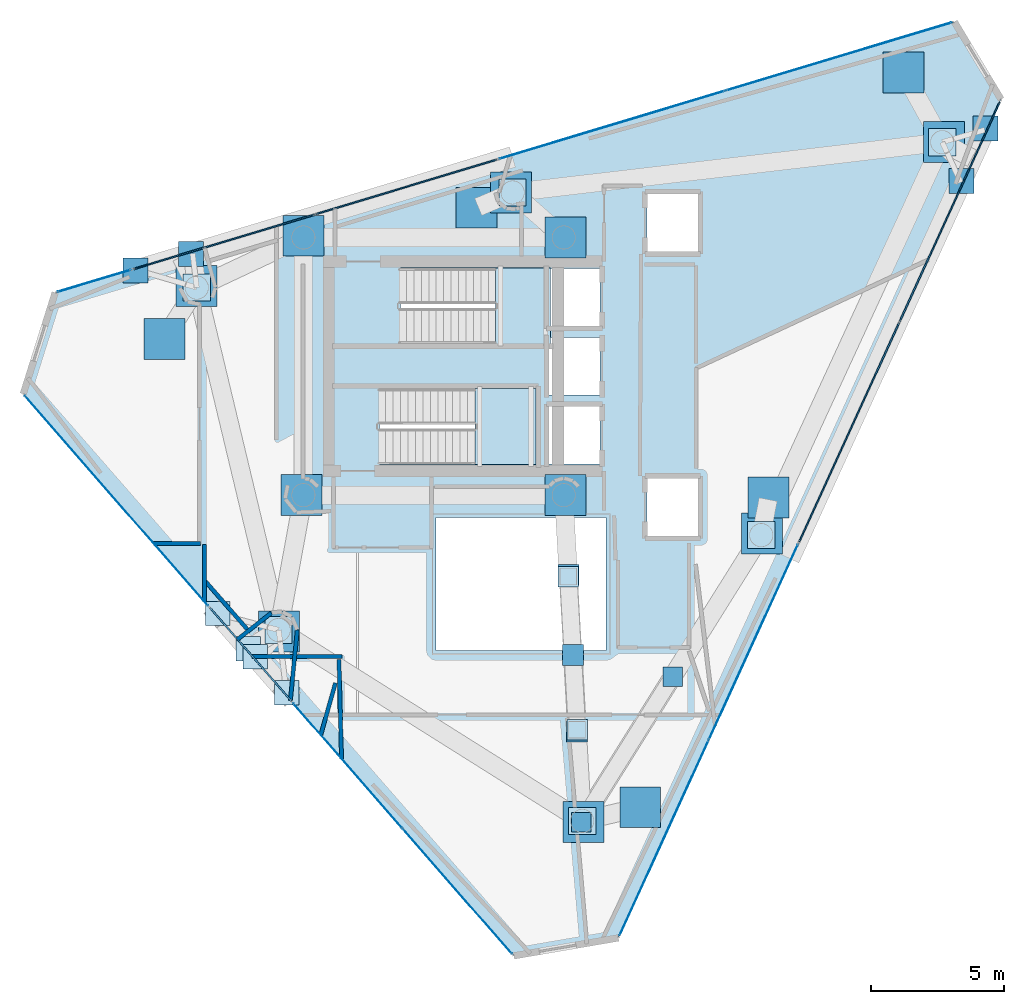
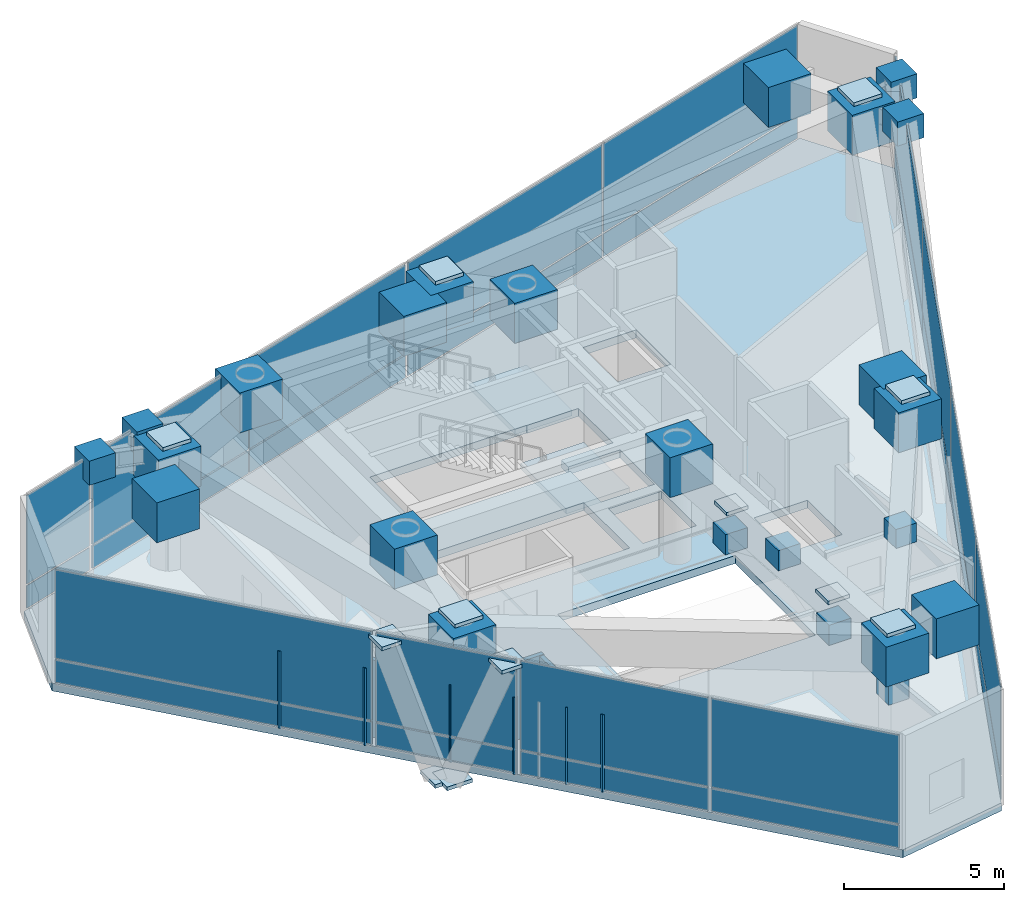
# One storey, part 15 of 20: 62 plates, 8 walls, 3 slabs, 10 elements without a shape of their own.
"""IFC4 building model written with IfcOpenShell, lengths in metres."""

from ifc_helpers import new_model, si_unit, direction, frame, frame_2d, origin, origin_2d, place, context, subcontext, project, spatial, polyline, rectangle, outline, extrude, material, layer, layer_set, type_object, element, aggregate, save


model = new_model("IFC4")

# Units and contexts
model_context = context("Model", 3, precision=1e-05, world=origin(), true_north=direction((0.0, 1.0)))
body_context = subcontext(model_context, "Body", "Model", "MODEL_VIEW")
ifc_project = project(units=[si_unit("LENGTHUNIT", "METRE"), si_unit("AREAUNIT", "SQUARE_METRE"), si_unit("VOLUMEUNIT", "CUBIC_METRE"), si_unit("PLANEANGLEUNIT", "RADIAN"), si_unit("MASSUNIT", "GRAM", prefix="KILO")], contexts=[model_context])

# Site, building, storey
site_placement = place(None, origin())
site = spatial("IfcSite", under=ifc_project, at=site_placement, CompositionType="ELEMENT")
building_placement = place(site_placement, origin())
building = spatial("IfcBuilding", under=site, at=building_placement, Name="Qianvela Tower", CompositionType="ELEMENT")
storey_placement = place(building_placement, frame((0.0, 0.0, 321.300048828125)))
storey = spatial("IfcBuildingStorey", under=building, at=storey_placement, Name="L83", CompositionType="ELEMENT", Elevation=321.300048828125)

# Curtain wall, plates
ifc_material_1 = material(Name="Anodised Architectural Aluminium and Insulated Spandrel Panel", Category="aluminium")
ifc_layer_1 = layer(ifc_material_1, 0.179931640625)
ifc_layer_set_1 = layer_set([ifc_layer_1], Name="Anodised Architectural Aluminium and Insulated Spandrel Panel")
curtain_wall_type_1 = type_object("IfcCurtainWallType", Name="CW-BRACEBAY", PredefinedType="USERDEFINED", material=ifc_layer_set_1)
curtain_wall_1_placement = place(storey_placement, origin())
curtain_wall_1 = element("IfcCurtainWall", 1, at=curtain_wall_1_placement, inside=storey, type_object=curtain_wall_type_1, Name="L83 CW-BRACEBAY Curtain Wall 02B", ObjectType="CURTAIN_WALL_SYSTEM", PredefinedType="USERDEFINED")
ifc_material_2 = material(Name="Insulated Aluminium Spandrel Panel with Mineral-Wool Backpan", Category="aluminium")
ifc_layer_2 = layer(ifc_material_2, 0.06005859375)
ifc_layer_set_2 = layer_set([ifc_layer_2], Name="Insulated Aluminium Spandrel Panel with Mineral-Wool Backpan")
plate_type_1 = type_object("IfcPlateType", Name="CW-BRACEBAY-PNL", PredefinedType="CURTAIN_PANEL", material=ifc_layer_set_2)
plate_1_placement = place(storey_placement, frame((32.471435546875, 35.45361328125, 0.06494140625), z_axis=(0.0, 0.0, 1.0), x_axis=(-0.95748689218, -0.288476777754, 0.0)))
plate_1 = element("IfcPlate", 2, at=plate_1_placement, type_object=plate_type_1, Name="CW-9 panel 1.1", PredefinedType="CURTAIN_PANEL", context=body_context, shape_type="SweptSolid", body=[
    extrude(rectangle(XDim=7.097412109375, YDim=0.06005859375, at=origin_2d()), origin(), (0.0, 0.0, 1.0), 0.8525390625),
])
plate_2_placement = place(storey_placement, frame((32.471435546875, 35.45361328125, 0.982421875), z_axis=(0.0, 0.0, 1.0), x_axis=(-0.95748689218, -0.288476777754, 0.0)))
plate_2 = element("IfcPlate", 3, at=plate_2_placement, type_object=plate_type_1, Name="CW-9 panel 1.2", PredefinedType="CURTAIN_PANEL", context=body_context, shape_type="SweptSolid", body=[
    extrude(rectangle(XDim=7.097412109375, YDim=0.06005859375, at=origin_2d()), origin(), (0.0, 0.0, 1.0), 3.37255859375),
])
plate_3_placement = place(storey_placement, frame((25.613525390625, 33.38720703125, 0.06494140625), z_axis=(0.0, 0.0, 1.0), x_axis=(-0.95748689218, -0.288476777754, 0.0)))
plate_3 = element("IfcPlate", 4, at=plate_3_placement, type_object=plate_type_1, Name="CW-9 panel 2.1", PredefinedType="CURTAIN_PANEL", context=body_context, shape_type="SweptSolid", body=[
    extrude(rectangle(XDim=7.097412109375, YDim=0.06005859375, at=origin_2d()), origin(), (0.0, 0.0, 1.0), 0.8525390625),
])
plate_4_placement = place(storey_placement, frame((25.613525390625, 33.38720703125, 0.982421875), z_axis=(0.0, 0.0, 1.0), x_axis=(-0.95748689218, -0.288476777754, 0.0)))
plate_4 = element("IfcPlate", 5, at=plate_4_placement, type_object=plate_type_1, Name="CW-9 panel 2.2", PredefinedType="CURTAIN_PANEL", context=body_context, shape_type="SweptSolid", body=[
    extrude(rectangle(XDim=7.097412109375, YDim=0.06005859375, at=origin_2d()), origin(), (0.0, 0.0, 1.0), 3.37255859375),
])
aggregate(curtain_wall_1, [plate_1, plate_2, plate_3, plate_4])

curtain_wall_2_placement = place(storey_placement, origin())
curtain_wall_2 = element("IfcCurtainWall", 6, at=curtain_wall_2_placement, inside=storey, type_object=curtain_wall_type_1, Name="L83 CW-BRACEBAY Curtain Wall 04B", ObjectType="CURTAIN_WALL_SYSTEM", PredefinedType="USERDEFINED")
plate_5_placement = place(storey_placement, frame((26.615966796875, 17.85498046875, 0.06494140625), z_axis=(0.0, 0.0, 1.0), x_axis=(0.657634420944, -0.753337220898, 0.0)))
plate_5 = element("IfcPlate", 7, at=plate_5_placement, type_object=plate_type_1, Name="CW-9 panel 1.1", PredefinedType="CURTAIN_PANEL", context=body_context, shape_type="SweptSolid", body=[
    extrude(rectangle(XDim=4.639892578125, YDim=0.06005859375, at=origin_2d()), origin(), (0.0, 0.0, 1.0), 0.8525390625),
])
plate_6_placement = place(storey_placement, frame((26.615966796875, 17.85498046875, 0.982421875), z_axis=(0.0, 0.0, 1.0), x_axis=(0.657634420944, -0.753337220898, 0.0)))
plate_6 = element("IfcPlate", 8, at=plate_6_placement, type_object=plate_type_1, Name="CW-9 panel 1.2", PredefinedType="CURTAIN_PANEL", context=body_context, shape_type="SweptSolid", body=[
    extrude(rectangle(XDim=4.639892578125, YDim=0.06005859375, at=origin_2d()), origin(), (0.0, 0.0, 1.0), 3.37255859375),
])
aggregate(curtain_wall_2, [plate_5, plate_6])

curtain_wall_3_placement = place(storey_placement, origin())
curtain_wall_3 = element("IfcCurtainWall", 9, at=curtain_wall_3_placement, inside=storey, type_object=curtain_wall_type_1, Name="L83 CW-BRACEBAY Curtain Wall 06B", ObjectType="CURTAIN_WALL_SYSTEM", PredefinedType="USERDEFINED")
plate_7_placement = place(storey_placement, frame((49.142333984375, 26.216064453125, 0.06494140625), z_axis=(0.0, 0.0, 1.0), x_axis=(0.415119235689, 0.909767014219, 0.0)))
plate_7 = element("IfcPlate", 10, at=plate_7_placement, type_object=plate_type_1, Name="CW-9 panel 1.1", PredefinedType="CURTAIN_PANEL", context=body_context, shape_type="SweptSolid", body=[
    extrude(rectangle(XDim=9.0634765625, YDim=0.06005859375, at=origin_2d()), origin(), (0.0, 0.0, 1.0), 0.8525390625),
])
plate_8_placement = place(storey_placement, frame((49.142333984375, 26.216064453125, 0.982421875), z_axis=(0.0, 0.0, 1.0), x_axis=(0.415119235689, 0.909767014219, 0.0)))
plate_8 = element("IfcPlate", 11, at=plate_8_placement, type_object=plate_type_1, Name="CW-9 panel 1.2", PredefinedType="CURTAIN_PANEL", context=body_context, shape_type="SweptSolid", body=[
    extrude(rectangle(XDim=9.0634765625, YDim=0.06005859375, at=origin_2d()), origin(), (0.0, 0.0, 1.0), 3.37255859375),
])
plate_9_placement = place(storey_placement, frame((52.931640625, 34.520751953125, 0.06494140625), z_axis=(0.0, 0.0, 1.0), x_axis=(0.415119235689, 0.909767014219, 0.0)))
plate_9 = element("IfcPlate", 12, at=plate_9_placement, type_object=plate_type_1, Name="CW-9 panel 2.1", PredefinedType="CURTAIN_PANEL", context=body_context, shape_type="SweptSolid", body=[
    extrude(rectangle(XDim=9.0634765625, YDim=0.06005859375, at=origin_2d()), origin(), (0.0, 0.0, 1.0), 0.8525390625),
])
plate_10_placement = place(storey_placement, frame((52.931640625, 34.520751953125, 0.982421875), z_axis=(0.0, 0.0, 1.0), x_axis=(0.415119235689, 0.909767014219, 0.0)))
plate_10 = element("IfcPlate", 13, at=plate_10_placement, type_object=plate_type_1, Name="CW-9 panel 2.2", PredefinedType="CURTAIN_PANEL", context=body_context, shape_type="SweptSolid", body=[
    extrude(rectangle(XDim=9.0634765625, YDim=0.06005859375, at=origin_2d()), origin(), (0.0, 0.0, 1.0), 3.37255859375),
])
aggregate(curtain_wall_3, [plate_7, plate_8, plate_9, plate_10])

ifc_material_3 = material(Name="Anodised Architectural Aluminium and Low-E Glass", Category="aluminium")
ifc_layer_3 = layer(ifc_material_3, 0.14990234375)
ifc_layer_set_3 = layer_set([ifc_layer_3], Name="Anodised Architectural Aluminium and Low-E Glass")
curtain_wall_type_2 = type_object("IfcCurtainWallType", Name="CW-COLIV-Z78", PredefinedType="USERDEFINED", material=ifc_layer_set_3)
curtain_wall_4_placement = place(storey_placement, origin())
curtain_wall_4 = element("IfcCurtainWall", 14, at=curtain_wall_4_placement, inside=storey, type_object=curtain_wall_type_2, Name="L83 CW-COLIV-Z78 Curtain Wall 02A", ObjectType="CURTAIN_WALL_SYSTEM", PredefinedType="USERDEFINED")
ifc_material_4 = material(Name="Double-Silver Low-E Insulated Glass", Category="glass")
ifc_layer_4 = layer(ifc_material_4, 0.02587890625)
ifc_layer_set_4 = layer_set([ifc_layer_4], Name="Double-Silver Low-E Insulated Glass")
plate_type_2 = type_object("IfcPlateType", Name="CW-COLIV-Z78-PNL", PredefinedType="CURTAIN_PANEL", material=ifc_layer_set_4)
plate_11_placement = place(storey_placement, frame((48.757080078125, 40.360107421875, 0.06005859375), z_axis=(0.0, 0.0, 1.0), x_axis=(-0.957486042713, -0.288479597216, 0.0)))
plate_11 = element("IfcPlate", 15, at=plate_11_placement, type_object=plate_type_2, Name="CW-6 panel 1.1", PredefinedType="CURTAIN_PANEL", context=body_context, shape_type="SweptSolid", body=[
    extrude(rectangle(XDim=8.849853515625, YDim=0.02587890625, at=origin_2d()), origin(), (0.0, 0.0, 1.0), 0.860107421875),
])
plate_12_placement = place(storey_placement, frame((48.757080078125, 40.360107421875, 0.97998046875), z_axis=(0.0, 0.0, 1.0), x_axis=(-0.957486042713, -0.288479597216, 0.0)))
plate_12 = element("IfcPlate", 16, at=plate_12_placement, type_object=plate_type_2, Name="CW-6 panel 1.2", PredefinedType="CURTAIN_PANEL", context=body_context, shape_type="SweptSolid", body=[
    extrude(rectangle(XDim=8.849853515625, YDim=0.02587890625, at=origin_2d()), origin(), (0.0, 0.0, 1.0), 3.3798828125),
])
plate_13_placement = place(storey_placement, frame((40.225830078125, 37.789794921875, 0.06005859375), z_axis=(0.0, 0.0, 1.0), x_axis=(-0.957486042713, -0.288479597216, 0.0)))
plate_13 = element("IfcPlate", 17, at=plate_13_placement, type_object=plate_type_2, Name="CW-6 panel 2.1", PredefinedType="CURTAIN_PANEL", context=body_context, shape_type="SweptSolid", body=[
    extrude(rectangle(XDim=8.849853515625, YDim=0.02587890625, at=origin_2d()), origin(), (0.0, 0.0, 1.0), 0.860107421875),
])
plate_14_placement = place(storey_placement, frame((40.225830078125, 37.789794921875, 0.97998046875), z_axis=(0.0, 0.0, 1.0), x_axis=(-0.957486042713, -0.288479597216, 0.0)))
plate_14 = element("IfcPlate", 18, at=plate_14_placement, type_object=plate_type_2, Name="CW-6 panel 2.2", PredefinedType="CURTAIN_PANEL", context=body_context, shape_type="SweptSolid", body=[
    extrude(rectangle(XDim=8.849853515625, YDim=0.02587890625, at=origin_2d()), origin(), (0.0, 0.0, 1.0), 3.3798828125),
])
aggregate(curtain_wall_4, [plate_11, plate_12, plate_13, plate_14])

curtain_wall_5_placement = place(storey_placement, origin())
curtain_wall_5 = element("IfcCurtainWall", 19, at=curtain_wall_5_placement, inside=storey, type_object=curtain_wall_type_2, Name="L83 CW-COLIV-Z78 Curtain Wall 02C", ObjectType="CURTAIN_WALL_SYSTEM", PredefinedType="USERDEFINED")
plate_15_placement = place(storey_placement, frame((20.72998046875, 31.916015625, 0.06005859375), z_axis=(0.0, 0.0, 1.0), x_axis=(-0.957477522462, -0.288507875073, 0.0)))
plate_15 = element("IfcPlate", 20, at=plate_15_placement, type_object=plate_type_2, Name="CW-6 panel 1.1", PredefinedType="CURTAIN_PANEL", context=body_context, shape_type="SweptSolid", body=[
    extrude(rectangle(XDim=2.853271484375, YDim=0.02587890625, at=origin_2d()), origin(), (0.0, 0.0, 1.0), 0.860107421875),
])
plate_16_placement = place(storey_placement, frame((20.72998046875, 31.916015625, 0.97998046875), z_axis=(0.0, 0.0, 1.0), x_axis=(-0.957477522462, -0.288507875073, 0.0)))
plate_16 = element("IfcPlate", 21, at=plate_16_placement, type_object=plate_type_2, Name="CW-6 panel 1.2", PredefinedType="CURTAIN_PANEL", context=body_context, shape_type="SweptSolid", body=[
    extrude(rectangle(XDim=2.853271484375, YDim=0.02587890625, at=origin_2d()), origin(), (0.0, 0.0, 1.0), 3.3798828125),
])
aggregate(curtain_wall_5, [plate_15, plate_16])

curtain_wall_6_placement = place(storey_placement, origin())
curtain_wall_6 = element("IfcCurtainWall", 22, at=curtain_wall_6_placement, inside=storey, type_object=curtain_wall_type_2, Name="L83 CW-COLIV-Z78 Curtain Wall 04A", ObjectType="CURTAIN_WALL_SYSTEM", PredefinedType="USERDEFINED")
plate_17_placement = place(storey_placement, frame((21.568603515625, 23.63671875, 0.06005859375), z_axis=(0.0, 0.0, 1.0), x_axis=(0.657640961301, -0.753331511367, 0.0)))
plate_17 = element("IfcPlate", 23, at=plate_17_placement, type_object=plate_type_2, Name="CW-6 panel 1.1", PredefinedType="CURTAIN_PANEL", context=body_context, shape_type="SweptSolid", body=[
    extrude(rectangle(XDim=10.4599609375, YDim=0.02587890625, at=origin_2d()), origin(), (0.0, 0.0, 1.0), 0.860107421875),
])
plate_18_placement = place(storey_placement, frame((21.568603515625, 23.63671875, 0.97998046875), z_axis=(0.0, 0.0, 1.0), x_axis=(0.657640961301, -0.753331511367, 0.0)))
plate_18 = element("IfcPlate", 24, at=plate_18_placement, type_object=plate_type_2, Name="CW-6 panel 1.2", PredefinedType="CURTAIN_PANEL", context=body_context, shape_type="SweptSolid", body=[
    extrude(rectangle(XDim=10.4599609375, YDim=0.02587890625, at=origin_2d()), origin(), (0.0, 0.0, 1.0), 3.3798828125),
])
aggregate(curtain_wall_6, [plate_17, plate_18])

curtain_wall_7_placement = place(storey_placement, origin())
curtain_wall_7 = element("IfcCurtainWall", 25, at=curtain_wall_7_placement, inside=storey, type_object=curtain_wall_type_2, Name="L83 CW-COLIV-Z78 Curtain Wall 04C", ObjectType="CURTAIN_WALL_SYSTEM", PredefinedType="USERDEFINED")
plate_19_placement = place(storey_placement, frame((30.269775390625, 13.66943359375, 0.06005859375), z_axis=(0.0, 0.0, 1.0), x_axis=(0.657638810438, -0.753333389016, 0.0)))
plate_19 = element("IfcPlate", 26, at=plate_19_placement, type_object=plate_type_2, Name="CW-6 panel 1.1", PredefinedType="CURTAIN_PANEL", context=body_context, shape_type="SweptSolid", body=[
    extrude(rectangle(XDim=6.2216796875, YDim=0.02587890625, at=origin_2d()), origin(), (0.0, 0.0, 1.0), 0.860107421875),
])
plate_20_placement = place(storey_placement, frame((30.269775390625, 13.66943359375, 0.97998046875), z_axis=(0.0, 0.0, 1.0), x_axis=(0.657638810438, -0.753333389016, 0.0)))
plate_20 = element("IfcPlate", 27, at=plate_20_placement, type_object=plate_type_2, Name="CW-6 panel 1.2", PredefinedType="CURTAIN_PANEL", context=body_context, shape_type="SweptSolid", body=[
    extrude(rectangle(XDim=6.2216796875, YDim=0.02587890625, at=origin_2d()), origin(), (0.0, 0.0, 1.0), 3.3798828125),
])
plate_21_placement = place(storey_placement, frame((34.40087890625, 8.937255859375, 0.06005859375), z_axis=(0.0, 0.0, 1.0), x_axis=(0.657638810438, -0.753333389016, 0.0)))
plate_21 = element("IfcPlate", 28, at=plate_21_placement, type_object=plate_type_2, Name="CW-6 panel 2.1", PredefinedType="CURTAIN_PANEL", context=body_context, shape_type="SweptSolid", body=[
    extrude(rectangle(XDim=6.2216796875, YDim=0.02587890625, at=origin_2d()), origin(), (0.0, 0.0, 1.0), 0.860107421875),
])
plate_22_placement = place(storey_placement, frame((34.40087890625, 8.937255859375, 0.97998046875), z_axis=(0.0, 0.0, 1.0), x_axis=(0.657638810438, -0.753333389016, 0.0)))
plate_22 = element("IfcPlate", 29, at=plate_22_placement, type_object=plate_type_2, Name="CW-6 panel 2.2", PredefinedType="CURTAIN_PANEL", context=body_context, shape_type="SweptSolid", body=[
    extrude(rectangle(XDim=6.2216796875, YDim=0.02587890625, at=origin_2d()), origin(), (0.0, 0.0, 1.0), 3.3798828125),
])
aggregate(curtain_wall_7, [plate_19, plate_20, plate_21, plate_22])

curtain_wall_8_placement = place(storey_placement, origin())
curtain_wall_8 = element("IfcCurtainWall", 30, at=curtain_wall_8_placement, inside=storey, type_object=curtain_wall_type_2, Name="L83 CW-COLIV-Z78 Curtain Wall 06A", ObjectType="CURTAIN_WALL_SYSTEM", PredefinedType="USERDEFINED")
plate_23_placement = place(storey_placement, frame((42.175048828125, 10.9462890625, 0.06005859375), z_axis=(0.0, 0.0, 1.0), x_axis=(0.415119962571, 0.909766682548, 0.0)))
plate_23 = element("IfcPlate", 31, at=plate_23_placement, type_object=plate_type_2, Name="CW-6 panel 1.1", PredefinedType="CURTAIN_PANEL", context=body_context, shape_type="SweptSolid", body=[
    extrude(rectangle(XDim=8.044921875, YDim=0.02587890625, at=origin_2d()), origin(), (0.0, 0.0, 1.0), 0.860107421875),
])
plate_24_placement = place(storey_placement, frame((42.175048828125, 10.9462890625, 0.97998046875), z_axis=(0.0, 0.0, 1.0), x_axis=(0.415119962571, 0.909766682548, 0.0)))
plate_24 = element("IfcPlate", 32, at=plate_24_placement, type_object=plate_type_2, Name="CW-6 panel 1.2", PredefinedType="CURTAIN_PANEL", context=body_context, shape_type="SweptSolid", body=[
    extrude(rectangle(XDim=8.044921875, YDim=0.02587890625, at=origin_2d()), origin(), (0.0, 0.0, 1.0), 3.3798828125),
])
plate_25_placement = place(storey_placement, frame((45.53955078125, 18.320068359375, 0.06005859375), z_axis=(0.0, 0.0, 1.0), x_axis=(0.415119962571, 0.909766682548, 0.0)))
plate_25 = element("IfcPlate", 33, at=plate_25_placement, type_object=plate_type_2, Name="CW-6 panel 2.1", PredefinedType="CURTAIN_PANEL", context=body_context, shape_type="SweptSolid", body=[
    extrude(rectangle(XDim=8.044921875, YDim=0.02587890625, at=origin_2d()), origin(), (0.0, 0.0, 1.0), 0.860107421875),
])
plate_26_placement = place(storey_placement, frame((45.53955078125, 18.320068359375, 0.97998046875), z_axis=(0.0, 0.0, 1.0), x_axis=(0.415119962571, 0.909766682548, 0.0)))
plate_26 = element("IfcPlate", 34, at=plate_26_placement, type_object=plate_type_2, Name="CW-6 panel 2.2", PredefinedType="CURTAIN_PANEL", context=body_context, shape_type="SweptSolid", body=[
    extrude(rectangle(XDim=8.044921875, YDim=0.02587890625, at=origin_2d()), origin(), (0.0, 0.0, 1.0), 3.3798828125),
])
aggregate(curtain_wall_8, [plate_23, plate_24, plate_25, plate_26])

# Plates
ifc_material_5 = material(Name="Steel Q420GJC", Category="steel")
ifc_layer_5 = layer(ifc_material_5, 0.1298828125)
ifc_layer_set_5 = layer_set([ifc_layer_5], Name="Steel Q420GJC")
plate_type_3 = type_object("IfcPlateType", Name="PT-ENDCAP-130", PredefinedType="USERDEFINED", material=ifc_layer_set_5)
for number, where, z_axis, x_axis, name in (
    (35, (38.573974609375, 20.784423828125, 3.712890625), (0.0, 0.0, 1.0), (1.0, 0.0, 0.0), "L83 Hollow Section End Cap Plate B"),
    (36, (38.901123046875, 15.021484375, 3.712890625), (0.0, 0.0, 1.0), (1.0, 0.0, 0.0), "L83 Hollow Section End Cap Plate B"),
):
    element("IfcPlate", number, at=place(storey_placement, frame(where, z_axis=z_axis, x_axis=x_axis)), inside=storey, type_object=plate_type_3, Name=name, ObjectType="END_CAP", PredefinedType="USERDEFINED", context=body_context, shape_type="SweptSolid", body=[
        extrude(rectangle(XDim=0.77001953125, YDim=0.77001953125, at=origin_2d()), origin(), (0.0, 0.0, 1.0), 0.1298828125),
    ])
ifc_material_6 = material(Name="Steel Q420GJC", Category="steel")
ifc_layer_6 = layer(ifc_material_6, 0.139892578125)
ifc_layer_set_6 = layer_set([ifc_layer_6], Name="Steel Q420GJC")
plate_type_4 = type_object("IfcPlateType", Name="PT-GUSSET-NODE-140", PredefinedType="USERDEFINED", material=ifc_layer_set_6)
for number, where, z_axis, x_axis, name in (
    (37, (52.64794921875, 37.135009765625, 4.59521484375), (0.0, 0.0, 1.0), (1.0, 0.0, 0.0), "L83 Node Gusset Plate TOP"),
    (38, (36.47607421875, 35.242919921875, 4.59521484375), (0.0, 0.0, 1.0), (1.0, 0.0, 0.0), "L83 Node Gusset Plate TOP"),
    (39, (24.5869140625, 31.6630859375, 4.59521484375), (0.0, 0.0, 1.0), (1.0, 0.0, 0.0), "L83 Node Gusset Plate TOP"),
    (40, (27.669921875, 18.77392578125, 4.59521484375), (0.0, 0.0, 1.0), (1.0, 0.0, 0.0), "L83 Node Gusset Plate TOP"),
    (41, (39.095947265625, 11.587890625, 4.59521484375), (0.0, 0.0, 1.0), (1.0, 0.0, 0.0), "L83 Node Gusset Plate TOP"),
    (42, (45.833984375, 22.344970703125, 4.59521484375), (0.0, 0.0, 1.0), (1.0, 0.0, 0.0), "L83 Node Gusset Plate TOP"),
):
    element("IfcPlate", number, at=place(storey_placement, frame(where, z_axis=z_axis, x_axis=x_axis)), inside=storey, type_object=plate_type_4, Name=name, ObjectType="GUSSET_PLATE", PredefinedType="USERDEFINED", context=body_context, shape_type="SweptSolid", body=[
        extrude(rectangle(XDim=1.02001953125, YDim=1.02001953125, at=origin_2d()), origin(), (0.0, 0.0, 1.0), 0.139892578125),
    ])
for number, where, z_axis, x_axis, name in (
    (43, (24.37158203125, 32.9296875, 3.68115234375), (0.0, 0.0, 1.0), (1.0, 0.0, 0.0), "L83 Node Gusset Plate B"),
    (44, (22.288330078125, 32.3017578125, 3.678466796875), (0.0, 0.0, 1.0), (1.0, 0.0, 0.0), "L83 Node Gusset Plate B"),
):
    element("IfcPlate", number, at=place(storey_placement, frame(where, z_axis=z_axis, x_axis=x_axis)), inside=storey, type_object=plate_type_4, Name=name, ObjectType="GUSSET_PLATE", PredefinedType="USERDEFINED", context=body_context, shape_type="SweptSolid", body=[
        extrude(rectangle(XDim=0.93994140625, YDim=0.93994140625, at=origin_2d()), origin(), (0.0, 0.0, 1.0), 0.919921875),
    ])
for number, where, z_axis, x_axis, name in (
    (45, (26.53173828125, 18.072998046875, -0.73291015625), (0.0, 0.0, 1.0), (1.0, 0.0, 0.0), "L83 Node Gusset Plate A"),
    (46, (25.37646484375, 19.396484375, 4.10888671875), (0.0, 0.0, 1.0), (1.0, 0.0, 0.0), "L83 Node Gusset Plate B"),
    (47, (26.79150390625, 17.775390625, -0.73291015625), (0.0, 0.0, 1.0), (1.0, 0.0, 0.0), "L83 Node Gusset Plate A"),
    (48, (27.977294921875, 16.4169921875, 4.10888671875), (0.0, 0.0, 1.0), (1.0, 0.0, 0.0), "L83 Node Gusset Plate B"),
):
    element("IfcPlate", number, at=place(storey_placement, frame(where, z_axis=z_axis, x_axis=x_axis)), inside=storey, type_object=plate_type_4, Name=name, ObjectType="GUSSET_PLATE", PredefinedType="USERDEFINED", context=body_context, shape_type="SweptSolid", body=[
        extrude(rectangle(XDim=0.919921875, YDim=0.919921875, at=origin_2d()), origin(), (0.0, 0.0, 1.0), 0.139892578125),
    ])
for number, where, z_axis, x_axis, name in (
    (49, (53.37109375, 35.676513671875, 3.677001953125), (0.0, 0.0, 1.0), (1.0, 0.0, 0.0), "L83 Node Gusset Plate B"),
    (50, (54.2744140625, 37.655517578125, 3.67529296875), (0.0, 0.0, 1.0), (1.0, 0.0, 0.0), "L83 Node Gusset Plate B"),
):
    element("IfcPlate", number, at=place(storey_placement, frame(where, z_axis=z_axis, x_axis=x_axis)), inside=storey, type_object=plate_type_4, Name=name, ObjectType="GUSSET_PLATE", PredefinedType="USERDEFINED", context=body_context, shape_type="SweptSolid", body=[
        extrude(rectangle(XDim=0.93994140625, YDim=0.93994140625, at=origin_2d()), origin(), (0.0, 0.0, 1.0), 0.919921875),
    ])
for number, where, z_axis, x_axis, name in (
    (51, (28.534912109375, 23.85009765625, 2.9580078125), (0.0, 0.0, 1.0), (1.0, 0.0, 0.0), "L83 Node Gusset Plate A"),
    (52, (38.465087890625, 23.85009765625, 2.9580078125), (0.0, 0.0, 1.0), (1.0, 0.0, 0.0), "L83 Node Gusset Plate B"),
    (53, (28.60009765625, 33.614990234375, 2.9580078125), (0.0, 0.0, 1.0), (1.0, 0.0, 0.0), "L83 Node Gusset Plate A"),
    (54, (38.465087890625, 33.550048828125, 2.9580078125), (0.0, 0.0, 1.0), (1.0, 0.0, 0.0), "L83 Node Gusset Plate B"),
    (55, (52.712646484375, 37.142578125, 2.9580078125), (0.0, 0.0, 1.0), (1.0, 0.0, 0.0), "L83 Node Gusset Plate A"),
    (56, (36.411376953125, 35.2353515625, 2.9580078125), (0.0, 0.0, 1.0), (1.0, 0.0, 0.0), "L83 Node Gusset Plate B"),
    (57, (24.572021484375, 31.726318359375, 2.9580078125), (0.0, 0.0, 1.0), (1.0, 0.0, 0.0), "L83 Node Gusset Plate A"),
    (58, (27.68505859375, 18.710693359375, 2.9580078125), (0.0, 0.0, 1.0), (1.0, 0.0, 0.0), "L83 Node Gusset Plate B"),
    (59, (39.15087890625, 11.553466796875, 2.9580078125), (0.0, 0.0, 1.0), (1.0, 0.0, 0.0), "L83 Node Gusset Plate B"),
    (60, (45.868408203125, 22.400146484375, 2.9580078125), (0.0, 0.0, 1.0), (1.0, 0.0, 0.0), "L83 Node Gusset Plate B"),
):
    element("IfcPlate", number, at=place(storey_placement, frame(where, z_axis=z_axis, x_axis=x_axis)), inside=storey, type_object=plate_type_4, Name=name, ObjectType="GUSSET_PLATE", PredefinedType="USERDEFINED", context=body_context, shape_type="SweptSolid", body=[
        extrude(rectangle(XDim=1.5400390625, YDim=1.5400390625, at=origin_2d()), origin(), (0.0, 0.0, 1.0), 1.52001953125),
    ])
for number, where, z_axis, x_axis, name in (
    (61, (39.062255859375, 11.5341796875, 1.92578125), (0.0, 0.0, 1.0), (1.0, 0.0, 0.0), "L83 Node Gusset Plate A"),
    (62, (42.498779296875, 17.020263671875, 3.3720703125), (0.0, 0.0, 1.0), (1.0, 0.0, 0.0), "L83 Node Gusset Plate B"),
):
    element("IfcPlate", number, at=place(storey_placement, frame(where, z_axis=z_axis, x_axis=x_axis)), inside=storey, type_object=plate_type_4, Name=name, ObjectType="GUSSET_PLATE", PredefinedType="USERDEFINED", context=body_context, shape_type="SweptSolid", body=[
        extrude(rectangle(XDim=0.739990234375, YDim=0.739990234375, at=origin_2d()), origin(), (0.0, 0.0, 1.0), 0.719970703125),
    ])
for number, where, z_axis, x_axis, name in (
    (63, (38.570556640625, 20.84521484375, 2.204833984375), (0.0, 0.0, 1.0), (1.0, 0.0, 0.0), "L83 Node Gusset Plate A"),
    (64, (38.740966796875, 17.84228515625, 3.356201171875), (0.0, 0.0, 1.0), (1.0, 0.0, 0.0), "L83 Node Gusset Plate B"),
    (65, (38.904541015625, 14.960693359375, 2.204833984375), (0.0, 0.0, 1.0), (1.0, 0.0, 0.0), "L83 Node Gusset Plate B"),
):
    element("IfcPlate", number, at=place(storey_placement, frame(where, z_axis=z_axis, x_axis=x_axis)), inside=storey, type_object=plate_type_4, Name=name, ObjectType="GUSSET_PLATE", PredefinedType="USERDEFINED", context=body_context, shape_type="SweptSolid", body=[
        extrude(rectangle(XDim=0.7900390625, YDim=0.7900390625, at=origin_2d()), origin(), (0.0, 0.0, 1.0), 0.77001953125),
    ])
for number, where, z_axis, x_axis, name in (
    (66, (51.195556640625, 39.764892578125, 2.9580078125), (0.0, 0.0, 1.0), (1.0, 0.0, 0.0), "L83 Node Gusset Plate B"),
    (67, (35.1171875, 34.669677734375, 2.9580078125), (0.0, 0.0, 1.0), (1.0, 0.0, 0.0), "L83 Node Gusset Plate B"),
    (68, (23.365234375, 29.734130859375, 2.9580078125), (0.0, 0.0, 1.0), (1.0, 0.0, 0.0), "L83 Node Gusset Plate B"),
    (69, (41.2802734375, 12.102783203125, 2.9580078125), (0.0, 0.0, 1.0), (1.0, 0.0, 0.0), "L83 Node Gusset Plate B"),
    (70, (46.107421875, 23.7548828125, 2.9580078125), (0.0, 0.0, 1.0), (1.0, 0.0, 0.0), "L83 Node Gusset Plate B"),
):
    element("IfcPlate", number, at=place(storey_placement, frame(where, z_axis=z_axis, x_axis=x_axis)), inside=storey, type_object=plate_type_4, Name=name, ObjectType="GUSSET_PLATE", PredefinedType="USERDEFINED", context=body_context, shape_type="SweptSolid", body=[
        extrude(rectangle(XDim=1.5400390625, YDim=1.5400390625, at=origin_2d()), origin(), (0.0, 0.0, 1.0), 1.52001953125),
    ])

# Stair, slab
ifc_material_7 = material(Name="Concrete C40", Category="concrete")
stair_type = type_object("IfcStairType", Name="ST-DOGLEG-1350-R164-N28", PredefinedType="HALF_TURN_STAIR", material=ifc_material_7)
stair_1_placement = place(storey_placement, origin())
stair_1 = element("IfcStair", 71, at=stair_1_placement, inside=storey, type_object=stair_type, Name="L83 Smoke-Proof Core Stair ST-1", PredefinedType="HALF_TURN_STAIR")
ifc_material_8 = material(Name="Concrete C40", Category="concrete")
ifc_layer_7 = layer(ifc_material_8, 0.199951171875)
ifc_layer_set_7 = layer_set([ifc_layer_7], Name="Concrete C40")
slab_type_1 = type_object("IfcSlabType", Name="SL-STAIR-LANDING-200", PredefinedType="LANDING", material=ifc_layer_set_7)
slab_1_placement = place(storey_placement, frame((0.0, 0.0, 2.099853515625)))
slab_1 = element("IfcSlab", 72, at=slab_1_placement, type_object=slab_type_1, Name="ST-1 landing 1", PredefinedType="LANDING", context=body_context, shape_type="SweptSolid", body=[
    extrude(outline(polyline([(35.840087890625, 29.5400390625), (37.89990234375, 29.5400390625), (37.89990234375, 32.39990234375), (35.840087890625, 32.39990234375), (35.840087890625, 29.5400390625)])), origin(), (0.0, 0.0, 1.0), 0.2001953125),
])
aggregate(stair_1, [slab_1])

stair_2_placement = place(storey_placement, origin())
stair_2 = element("IfcStair", 73, at=stair_2_placement, inside=storey, type_object=stair_type, Name="L83 Smoke-Proof Core Stair ST-2", PredefinedType="HALF_TURN_STAIR")
slab_2_placement = place(storey_placement, frame((0.0, 0.0, 2.099853515625)))
slab_2 = element("IfcSlab", 74, at=slab_2_placement, type_object=slab_type_1, Name="ST-2 landing 1", PredefinedType="LANDING", context=body_context, shape_type="SweptSolid", body=[
    extrude(outline(polyline([(35.06005859375, 25.0), (37.35009765625, 25.0), (37.35009765625, 27.860107421875), (35.06005859375, 27.860107421875), (35.06005859375, 25.0)])), origin(), (0.0, 0.0, 1.0), 0.2001953125),
])
aggregate(stair_2, [slab_2])

# Slab
ifc_material_9 = material(Name="Concrete C40", Category="concrete")
ifc_layer_8 = layer(ifc_material_9, 0.300048828125)
ifc_layer_set_8 = layer_set([ifc_layer_8], Name="Concrete C40")
slab_type_2 = type_object("IfcSlabType", Name="SL-TRANS-300", PredefinedType="FLOOR", material=ifc_layer_set_8)
slab_3_placement = place(storey_placement, frame((0.0, 0.0, -0.300048828125)))
element("IfcSlab", 75, at=slab_3_placement, inside=storey, type_object=slab_type_2, Name="L83 Composite Structural Floor Slab", PredefinedType="FLOOR", context=body_context, shape_type="SweptSolid", body=[
    extrude(outline(polyline([(54.860595703125, 38.748046875), (53.099365234375, 41.66845703125), (19.258544921875, 31.47265625), (18.056884765625, 27.659423828125), (36.51904296875, 6.5107421875), (40.45947265625, 7.186767578125), (54.860595703125, 38.748046875)]), holes=[polyline([(40.0, 23.0), (33.60009765625, 23.0), (33.60009765625, 18.0), (40.0, 18.0), (40.0, 23.0)]), polyline([(43.4599609375, 24.47998046875), (41.5400390625, 24.47998046875), (41.5400390625, 22.320068359375), (43.4599609375, 22.320068359375), (43.4599609375, 24.47998046875)]), polyline([(39.760009765625, 27.179931640625), (37.840087890625, 27.179931640625), (37.840087890625, 25.02001953125), (39.760009765625, 25.02001953125), (39.760009765625, 27.179931640625)]), polyline([(37.35009765625, 27.860107421875), (31.469970703125, 27.860107421875), (31.469970703125, 25.0), (37.35009765625, 25.0), (37.35009765625, 27.860107421875)]), polyline([(39.760009765625, 27.6201171875), (39.760009765625, 29.780029296875), (37.89990234375, 29.780029296875), (37.89990234375, 30.219970703125), (39.760009765625, 30.219970703125), (39.760009765625, 32.3798828125), (37.89990234375, 32.3798828125), (37.89990234375, 32.39990234375), (32.25, 32.39990234375), (32.25, 29.5400390625), (37.840087890625, 29.5400390625), (37.840087890625, 27.6201171875), (39.760009765625, 27.6201171875)]), polyline([(43.4599609375, 35.179931640625), (41.5400390625, 35.179931640625), (41.5400390625, 33.02001953125), (43.4599609375, 33.02001953125), (43.4599609375, 35.179931640625)])]), origin(), (0.0, 0.0, 1.0), 0.300048828125),
])

# Walls
ifc_material_10 = material(Name="Fire-Rated Acoustic Gypsum Board")
ifc_layer_9 = layer(ifc_material_10, 0.14990234375)
ifc_layer_set_9 = layer_set([ifc_layer_9], Name="Fire-Rated Acoustic Gypsum Board")
wall_type = type_object("IfcWallType", Name="WT-CORR-150", PredefinedType="PARTITIONING", material=ifc_layer_set_9)
wall_1_placement = place(storey_placement, frame((24.719970703125, 22.031005859375, 0.0), z_axis=(0.0, 0.0, 1.0), x_axis=(-1.0, 0.0, 0.0)))
element("IfcWall", 76, at=wall_1_placement, inside=storey, type_object=wall_type, Name="L83 Partition 50", PredefinedType="PARTITIONING", context=body_context, shape_type="SweptSolid", body=[
    extrude(rectangle(XDim=1.769775390625, YDim=0.14990234375, at=frame_2d((0.884765625, 0.0))), origin(), (0.0, 0.0, 1.0), 2.93994140625),
])
wall_2_placement = place(storey_placement, frame((29.25634765625, 14.830078125, 0.0), z_axis=(0.0, 0.0, 1.0), x_axis=(0.271775031996, 0.962360811746, 0.0)))
element("IfcWall", 77, at=wall_2_placement, inside=storey, type_object=wall_type, Name="L83 Partition 62", PredefinedType="PARTITIONING", context=body_context, shape_type="SweptSolid", body=[
    extrude(rectangle(XDim=2.025634765625, YDim=0.14990234375, at=frame_2d((1.0126953125, 0.0))), origin(), (0.0, 0.0, 1.0), 2.93994140625),
])
wall_3_placement = place(storey_placement, frame((30.050048828125, 17.781005859375, 0.0), z_axis=(0.0, 0.0, 1.0), x_axis=(-1.0, 0.0, 0.0)))
element("IfcWall", 78, at=wall_3_placement, inside=storey, type_object=wall_type, Name="L83 Partition 63", PredefinedType="PARTITIONING", context=body_context, shape_type="SweptSolid", body=[
    extrude(rectangle(XDim=3.3896484375, YDim=0.14990234375, at=frame_2d((1.69482421875, 0.0))), origin(), (0.0, 0.0, 1.0), 2.93994140625),
])
wall_4_placement = place(storey_placement, frame((28.10986328125, 16.12158203125, 0.0), z_axis=(0.0, 0.0, 1.0), x_axis=(0.098032697631, 0.995183194289, 0.0)))
element("IfcWall", 79, at=wall_4_placement, inside=storey, type_object=wall_type, Name="L83 Partition 64", PredefinedType="PARTITIONING", context=body_context, shape_type="SweptSolid", body=[
    extrude(rectangle(XDim=2.662353515625, YDim=0.14990234375, at=frame_2d((1.3310546875, 0.0))), origin(), (0.0, 0.0, 1.0), 2.93994140625),
])
wall_5_placement = place(storey_placement, frame((27.39453125, 19.41748046875, 0.0), z_axis=(0.0, 0.0, 1.0), x_axis=(-0.78734755062, -0.616509395331, 0.0)))
element("IfcWall", 80, at=wall_5_placement, inside=storey, type_object=wall_type, Name="L83 Partition 68", PredefinedType="PARTITIONING", context=body_context, shape_type="SweptSolid", body=[
    extrude(rectangle(XDim=1.63623046875, YDim=0.14990234375, at=frame_2d((0.818115234375, 0.0))), origin(), (0.0, 0.0, 1.0), 2.93994140625),
])
wall_6_placement = place(storey_placement, frame((26.555908203125, 18.723388671875, 0.0), z_axis=(0.0, 0.0, 1.0), x_axis=(-0.657632722563, 0.753338703516, 0.0)))
element("IfcWall", 81, at=wall_6_placement, inside=storey, type_object=wall_type, Name="L83 Partition 69", PredefinedType="PARTITIONING", context=body_context, shape_type="SweptSolid", body=[
    extrude(rectangle(XDim=2.55859375, YDim=0.14990234375, at=frame_2d((1.279296875, 0.0))), origin(), (0.0, 0.0, 1.0), 2.93994140625),
])
wall_7_placement = place(storey_placement, frame((24.881103515625, 19.822265625, 0.0), z_axis=(0.0, 0.0, 1.0), x_axis=(0.0, 1.0, 0.0)))
element("IfcWall", 82, at=wall_7_placement, inside=storey, type_object=wall_type, Name="L83 Partition 70 seg 1", PredefinedType="PARTITIONING", context=body_context, shape_type="SweptSolid", body=[
    extrude(rectangle(XDim=2.177734375, YDim=0.14990234375, at=frame_2d((1.0888671875, 0.0))), origin(), (0.0, 0.0, 1.0), 2.93994140625),
])
wall_8_placement = place(storey_placement, frame((29.93896484375, 17.669189453125, 0.0), z_axis=(0.0, 0.0, 1.0), x_axis=(0.025827643179, -0.999666410783, 0.0)))
element("IfcWall", 83, at=wall_8_placement, inside=storey, type_object=wall_type, Name="L83 Partition 90", PredefinedType="PARTITIONING", context=body_context, shape_type="SweptSolid", body=[
    extrude(rectangle(XDim=3.752685546875, YDim=0.14990234375, at=frame_2d((1.87646484375, 0.0))), origin(), (0.0, 0.0, 1.0), 2.93994140625),
])

save(model, "model.ifc")
